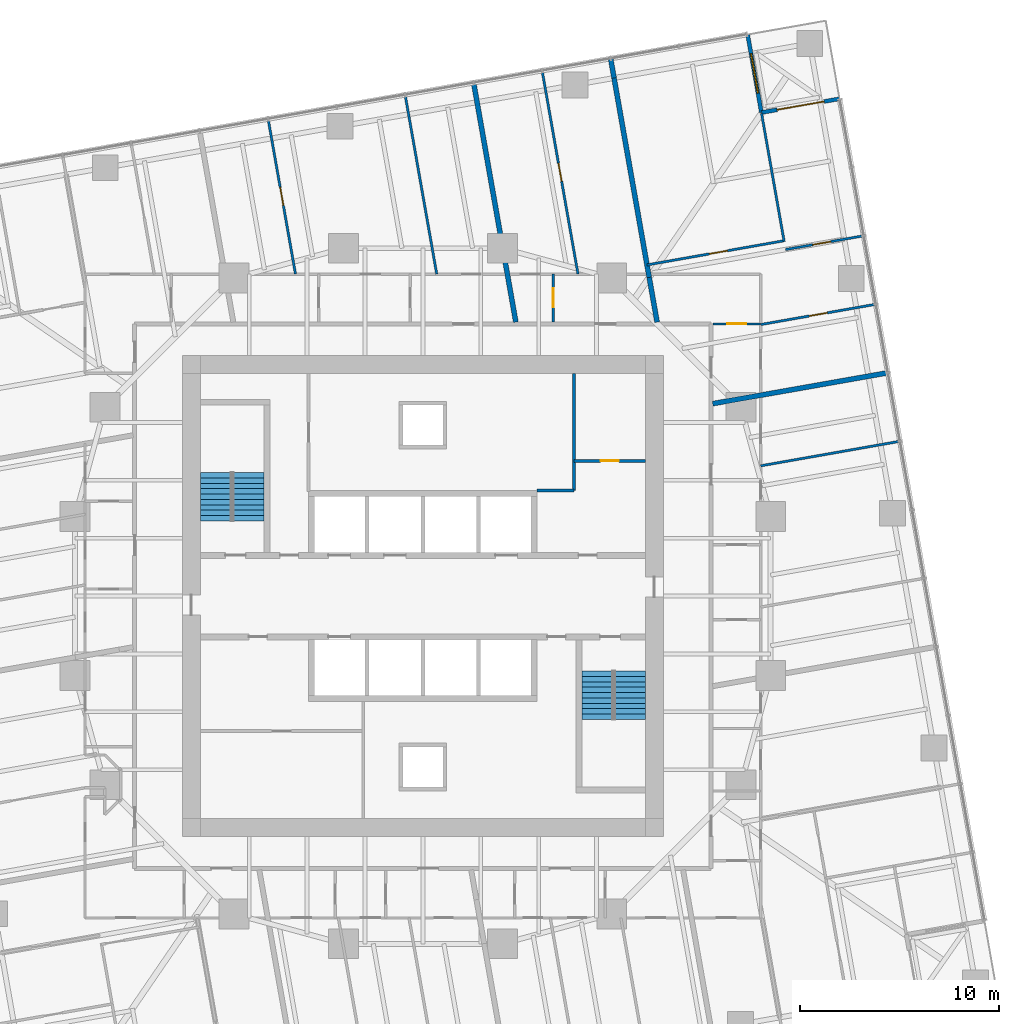
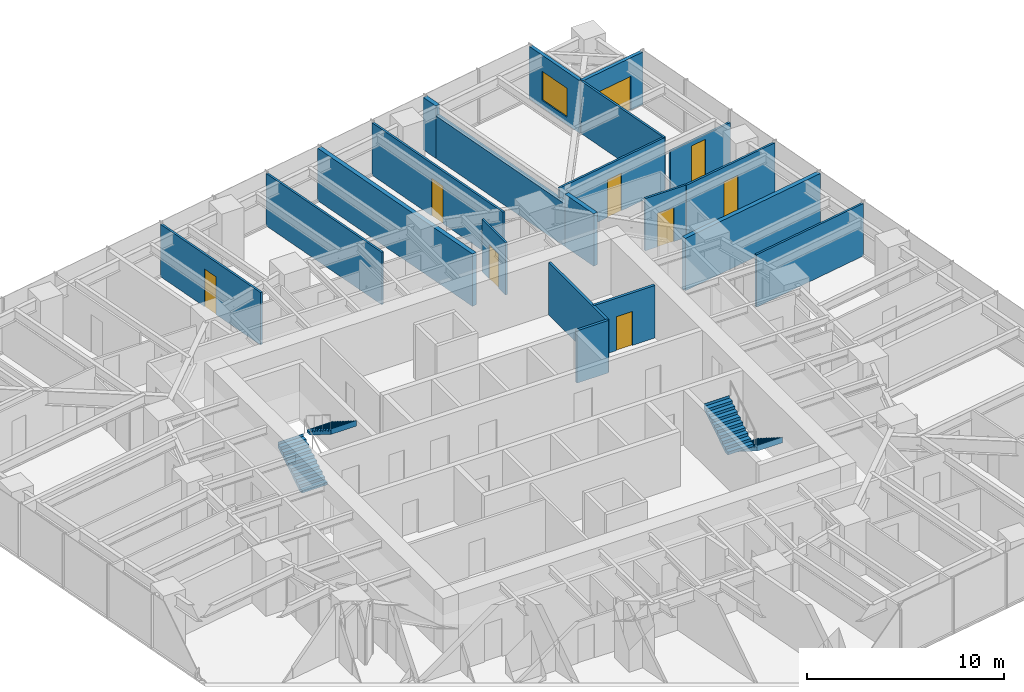
# One storey, part 13 of 14: 20 walls, 9 doors, 4 stair flights, 1 window, 10 openings, 2 elements without a shape of their own.
"""IFC4 building model written with IfcOpenShell, lengths in metres."""

from ifc_helpers import new_model, si_unit, direction, frame, frame_2d, origin, place, context, subcontext, project, spatial, polyline, rectangle, outline, extrude, material, layer, layer_set, type_object, element, fill, aggregate, save


model = new_model("IFC4")

# Units and contexts
model_context = context("Model", 3, precision=1e-05, world=origin(), true_north=direction((0.0, 1.0)))
body_context = subcontext(model_context, "Body", "Model", "MODEL_VIEW")
ifc_project = project(units=[si_unit("LENGTHUNIT", "METRE"), si_unit("AREAUNIT", "SQUARE_METRE"), si_unit("VOLUMEUNIT", "CUBIC_METRE"), si_unit("PLANEANGLEUNIT", "RADIAN"), si_unit("MASSUNIT", "GRAM", prefix="KILO")], contexts=[model_context])

# Site, building, storey
site_placement = place(None, origin())
site = spatial("IfcSite", under=ifc_project, at=site_placement, CompositionType="ELEMENT")
building_placement = place(site_placement, origin())
building = spatial("IfcBuilding", under=site, at=building_placement, Name="Torsade Residences", CompositionType="ELEMENT")
storey_placement = place(building_placement, frame((0.0, 0.0, 93.0)))
storey = spatial("IfcBuildingStorey", under=building, at=storey_placement, Name="L25", CompositionType="ELEMENT", Elevation=93.0)

# Wall
ifc_material_1 = material(Name="Plasterboard on steel stud", Category="steel")
ifc_layer_1 = layer(ifc_material_1, 0.1201171875)
ifc_layer_set_1 = layer_set([ifc_layer_1], Name="Plasterboard on steel stud")
wall_type_1 = type_object("IfcWallType", Name="PARTITION 120", PredefinedType="PARTITIONING", material=ifc_layer_set_1)
wall_1_placement = place(storey_placement, frame((57.0, 36.551513671875, 0.0), z_axis=(0.0, 0.0, 1.0), x_axis=(0.984809234282, 0.173639776761, 0.0)))
element("IfcWall", 1, at=wall_1_placement, inside=storey, type_object=wall_type_1, Name="Partition L25", PredefinedType="PARTITIONING", context=body_context, shape_type="SweptSolid", body=[
    extrude(rectangle(XDim=7.080810546875, YDim=0.1201171875, at=frame_2d((3.54052734375, 0.0))), origin(), (0.0, 0.0, 1.0), 3.25),
])

# Wall, opening, door
wall_2_placement = place(storey_placement, frame((54.60009765625, 43.68896484375, 0.0), z_axis=(0.0, 0.0, 1.0), x_axis=(1.0, 0.0, 0.0)))
wall_2 = element("IfcWall", 2, at=wall_2_placement, inside=storey, type_object=wall_type_1, Name="Partition L25", PredefinedType="PARTITIONING", context=body_context, shape_type="SweptSolid", body=[
    extrude(rectangle(XDim=2.39990234375, YDim=0.1201171875, at=frame_2d((1.199951171875, 0.0))), origin(), (0.0, 0.0, 1.0), 3.25),
])
opening_1_placement = place(wall_2_placement, frame((0.719970703125, 0.0, 0.0)))
opening_1 = element("IfcOpeningElement", 3, at=opening_1_placement, cuts=wall_2, Name="Opening D05", PredefinedType="OPENING", context=body_context, shape_type="SweptSolid", body=[
    extrude(rectangle(XDim=0.9599609375, YDim=2.10009765625, at=frame_2d((0.47998046875, 1.050048828125))), frame((0.0, 0.070068359375, 0.0), z_axis=(0.0, -1.0, 0.0), x_axis=(1.0, 0.0, 0.0)), (0.0, 0.0, 1.0), 0.14013671875),
])
ifc_material_2 = material(Name="Hollow-core timber door in a steel cavity frame", Category="steel")
door_type_1 = type_object("IfcDoorType", Name="BATHROOM CAVITY SLIDING DOOR 960", OperationType="SLIDING_TO_LEFT", PredefinedType="DOOR", material=ifc_material_2)
door_1_placement = place(opening_1_placement, origin())
door_1 = element("IfcDoor", 4, at=door_1_placement, inside=storey, type_object=door_type_1, Name="Door Kitchen and dining to Bathroom", OperationType="SLIDING_TO_LEFT", OverallHeight=2.10009765625, OverallWidth=0.9599609375, PredefinedType="DOOR", context=body_context, shape_type="SweptSolid", body=[
    extrude(rectangle(XDim=0.9599609375, YDim=2.10009765625, at=frame_2d((0.47998046875, 1.050048828125))), frame((0.0, 0.02490234375, 0.0), z_axis=(0.0, -1.0, 0.0), x_axis=(1.0, 0.0, 0.0)), (0.0, 0.0, 1.0), 0.050048828125),
])
fill(opening_1, door_1)

# Wall
wall_3_placement = place(storey_placement, frame((57.041259765625, 54.2880859375, 0.0), z_axis=(0.0, 0.0, 1.0), x_axis=(0.173657751636, -0.984806064815, 0.0)))
element("IfcWall", 5, at=wall_3_placement, inside=storey, type_object=wall_type_1, Name="Partition L25", PredefinedType="PARTITIONING", context=body_context, shape_type="SweptSolid", body=[
    extrude(rectangle(XDim=6.550048828125, YDim=0.1201171875, at=frame_2d((3.27490234375, 0.0))), origin(), (0.0, 0.0, 1.0), 3.25),
])

# Wall, opening, door
wall_4_placement = place(storey_placement, frame((58.171630859375, 47.877197265625, 0.0), z_axis=(0.0, 0.0, 1.0), x_axis=(-0.984806372973, -0.173656004074, 0.0)))
wall_4 = element("IfcWall", 6, at=wall_4_placement, inside=storey, type_object=wall_type_1, Name="Partition L25", PredefinedType="PARTITIONING", context=body_context, shape_type="SweptSolid", body=[
    extrude(rectangle(XDim=7.0, YDim=0.1201171875, at=frame_2d((3.5, 0.0))), origin(), (0.0, 0.0, 1.0), 3.25),
])
opening_2_placement = place(wall_4_placement, frame((2.889892578125, 0.0, 0.0)))
opening_2 = element("IfcOpeningElement", 7, at=opening_2_placement, cuts=wall_4, Name="Opening D02", PredefinedType="OPENING", context=body_context, shape_type="SweptSolid", body=[
    extrude(rectangle(XDim=0.919921875, YDim=2.340087890625, at=frame_2d((0.4599609375, 1.169921875))), frame((0.0, 0.070068359375, 0.0), z_axis=(0.0, -1.0, 0.0), x_axis=(1.0, 0.0, 0.0)), (0.0, 0.0, 1.0), 0.14013671875),
])
ifc_material_3 = material(Name="Hollow-core timber door", Category="wood")
door_type_2 = type_object("IfcDoorType", Name="INTERNAL DOOR 920x2340", OperationType="NOTDEFINED", PredefinedType="DOOR", material=ifc_material_3)
door_2_placement = place(opening_2_placement, origin())
door_2 = element("IfcDoor", 8, at=door_2_placement, inside=storey, type_object=door_type_2, Name="Door Bedroom 2 to Living room", OperationType="SINGLE_SWING_RIGHT", OverallHeight=2.340087890625, OverallWidth=0.919921875, PredefinedType="DOOR", context=body_context, shape_type="SweptSolid", body=[
    extrude(rectangle(XDim=0.919921875, YDim=2.340087890625, at=frame_2d((0.4599609375, 1.169921875))), frame((0.0, 0.02490234375, 0.0), z_axis=(0.0, -1.0, 0.0), x_axis=(1.0, 0.0, 0.0)), (0.0, 0.0, 1.0), 0.050048828125),
])
fill(opening_2, door_2)

wall_5_placement = place(storey_placement, frame((62.149658203125, 48.12158203125, 0.0), z_axis=(0.0, 0.0, 1.0), x_axis=(-0.984804033163, -0.173669272657, 0.0)))
wall_5 = element("IfcWall", 9, at=wall_5_placement, inside=storey, type_object=wall_type_1, Name="Partition L25", PredefinedType="PARTITIONING", context=body_context, shape_type="SweptSolid", body=[
    extrude(rectangle(XDim=3.9599609375, YDim=0.1201171875, at=frame_2d((1.97998046875, 0.0))), origin(), (0.0, 0.0, 1.0), 2.637939453125),
])
opening_3_placement = place(wall_5_placement, frame((1.64990234375, 0.0, 0.0)))
opening_3 = element("IfcOpeningElement", 10, at=opening_3_placement, cuts=wall_5, Name="Opening D02", PredefinedType="OPENING", context=body_context, shape_type="SweptSolid", body=[
    extrude(rectangle(XDim=0.919921875, YDim=2.340087890625, at=frame_2d((0.4599609375, 1.169921875))), frame((0.0, 0.070068359375, 0.0), z_axis=(0.0, -1.0, 0.0), x_axis=(1.0, 0.0, 0.0)), (0.0, 0.0, 1.0), 0.14013671875),
])
door_3_placement = place(opening_3_placement, origin())
door_3 = element("IfcDoor", 11, at=door_3_placement, inside=storey, type_object=door_type_2, Name="Door Bedroom 2 to Bedroom 1", OperationType="SINGLE_SWING_LEFT", OverallHeight=2.340087890625, OverallWidth=0.919921875, PredefinedType="DOOR", context=body_context, shape_type="SweptSolid", body=[
    extrude(rectangle(XDim=0.919921875, YDim=2.340087890625, at=frame_2d((0.4599609375, 1.169921875))), frame((0.0, 0.02490234375, 0.0), z_axis=(0.0, -1.0, 0.0), x_axis=(1.0, 0.0, 0.0)), (0.0, 0.0, 1.0), 0.050048828125),
])
fill(opening_3, door_3)

wall_6_placement = place(storey_placement, frame((62.757568359375, 44.6748046875, 0.0), z_axis=(0.0, 0.0, 1.0), x_axis=(-0.984810032319, -0.173635250578, 0.0)))
wall_6 = element("IfcWall", 12, at=wall_6_placement, inside=storey, type_object=wall_type_1, Name="Partition L25", PredefinedType="PARTITIONING", context=body_context, shape_type="SweptSolid", body=[
    extrude(rectangle(XDim=5.846435546875, YDim=0.1201171875, at=frame_2d((2.92333984375, 0.0))), origin(), (0.0, 0.0, 1.0), 3.25),
])
opening_4_placement = place(wall_6_placement, frame((2.443115234375, 0.0, 0.0)))
opening_4 = element("IfcOpeningElement", 13, at=opening_4_placement, cuts=wall_6, Name="Opening D02", PredefinedType="OPENING", context=body_context, shape_type="SweptSolid", body=[
    extrude(rectangle(XDim=0.919921875, YDim=2.340087890625, at=frame_2d((0.4599609375, 1.169921875))), frame((0.0, 0.070068359375, 0.0), z_axis=(0.0, -1.0, 0.0), x_axis=(1.0, 0.0, 0.0)), (0.0, 0.0, 1.0), 0.14013671875),
])
door_4_placement = place(opening_4_placement, origin())
door_4 = element("IfcDoor", 14, at=door_4_placement, inside=storey, type_object=door_type_2, Name="Door Study to Bedroom 2", OperationType="SINGLE_SWING_RIGHT", OverallHeight=2.340087890625, OverallWidth=0.919921875, PredefinedType="DOOR", context=body_context, shape_type="SweptSolid", body=[
    extrude(rectangle(XDim=0.919921875, YDim=2.340087890625, at=frame_2d((0.4599609375, 1.169921875))), frame((0.0, 0.02490234375, 0.0), z_axis=(0.0, -1.0, 0.0), x_axis=(1.0, 0.0, 0.0)), (0.0, 0.0, 1.0), 0.050048828125),
])
fill(opening_4, door_4)

wall_7_placement = place(storey_placement, frame((46.5673828125, 43.800048828125, 0.0), z_axis=(0.0, 0.0, 1.0), x_axis=(0.0, 1.0, 0.0)))
wall_7 = element("IfcWall", 15, at=wall_7_placement, inside=storey, type_object=wall_type_1, Name="Partition L25", PredefinedType="PARTITIONING", context=body_context, shape_type="SweptSolid", body=[
    extrude(rectangle(XDim=2.39990234375, YDim=0.1201171875, at=frame_2d((1.199951171875, 0.0))), origin(), (0.0, 0.0, 1.0), 3.25),
])
opening_5_placement = place(wall_7_placement, frame((0.719970703125, 0.0, 0.0)))
opening_5 = element("IfcOpeningElement", 16, at=opening_5_placement, cuts=wall_7, Name="Opening D05", PredefinedType="OPENING", context=body_context, shape_type="SweptSolid", body=[
    extrude(rectangle(XDim=0.9599609375, YDim=2.10009765625, at=frame_2d((0.47998046875, 1.050048828125))), frame((0.0, 0.070068359375, 0.0), z_axis=(0.0, -1.0, 0.0), x_axis=(1.0, 0.0, 0.0)), (0.0, 0.0, 1.0), 0.14013671875),
])
door_5_placement = place(opening_5_placement, origin())
door_5 = element("IfcDoor", 17, at=door_5_placement, inside=storey, type_object=door_type_1, Name="Door Kitchen and dining to Bathroom", OperationType="SLIDING_TO_LEFT", OverallHeight=2.10009765625, OverallWidth=0.9599609375, PredefinedType="DOOR", context=body_context, shape_type="SweptSolid", body=[
    extrude(rectangle(XDim=0.9599609375, YDim=2.10009765625, at=frame_2d((0.47998046875, 1.050048828125))), frame((0.0, 0.02490234375, 0.0), z_axis=(0.0, -1.0, 0.0), x_axis=(1.0, 0.0, 0.0)), (0.0, 0.0, 1.0), 0.050048828125),
])
fill(opening_5, door_5)

wall_8_placement = place(storey_placement, frame((47.805419921875, 46.199951171875, 0.0), z_axis=(0.0, 0.0, 1.0), x_axis=(-0.173653605279, 0.984806795962, 0.0)))
wall_8 = element("IfcWall", 18, at=wall_8_placement, inside=storey, type_object=wall_type_1, Name="Partition L25", PredefinedType="PARTITIONING", context=body_context, shape_type="SweptSolid", body=[
    extrude(rectangle(XDim=10.361572265625, YDim=0.1201171875, at=frame_2d((5.1806640625, 0.0))), origin(), (0.0, 0.0, 1.0), 3.25),
])
opening_6_placement = place(wall_8_placement, frame((4.74072265625, 0.0, 0.0)))
opening_6 = element("IfcOpeningElement", 19, at=opening_6_placement, cuts=wall_8, Name="Opening D02", PredefinedType="OPENING", context=body_context, shape_type="SweptSolid", body=[
    extrude(rectangle(XDim=0.919921875, YDim=2.340087890625, at=frame_2d((0.4599609375, 1.169921875))), frame((0.0, 0.070068359375, 0.0), z_axis=(0.0, -1.0, 0.0), x_axis=(1.0, 0.0, 0.0)), (0.0, 0.0, 1.0), 0.14013671875),
])
door_6_placement = place(opening_6_placement, origin())
door_6 = element("IfcDoor", 20, at=door_6_placement, inside=storey, type_object=door_type_2, Name="Door Bedroom 1 to Living room", OperationType="SINGLE_SWING_LEFT", OverallHeight=2.340087890625, OverallWidth=0.919921875, PredefinedType="DOOR", context=body_context, shape_type="SweptSolid", body=[
    extrude(rectangle(XDim=0.919921875, YDim=2.340087890625, at=frame_2d((0.4599609375, 1.169921875))), frame((0.0, 0.02490234375, 0.0), z_axis=(0.0, -1.0, 0.0), x_axis=(1.0, 0.0, 0.0)), (0.0, 0.0, 1.0), 0.050048828125),
])
fill(opening_6, door_6)

# Wall
wall_9_placement = place(storey_placement, frame((39.112548828125, 55.1884765625, 0.0), z_axis=(0.0, 0.0, 1.0), x_axis=(0.173652576186, -0.984806977424, 0.0)))
element("IfcWall", 21, at=wall_9_placement, inside=storey, type_object=wall_type_1, Name="Partition L25", PredefinedType="PARTITIONING", context=body_context, shape_type="SweptSolid", body=[
    extrude(rectangle(XDim=9.127197265625, YDim=0.1201171875, at=frame_2d((4.5634765625, 0.0))), origin(), (0.0, 0.0, 1.0), 3.25),
])

# Wall, opening, door
wall_10_placement = place(storey_placement, frame((33.589599609375, 46.199951171875, 0.0), z_axis=(0.0, 0.0, 1.0), x_axis=(-0.173645935638, 0.98480814834, 0.0)))
wall_10 = element("IfcWall", 22, at=wall_10_placement, inside=storey, type_object=wall_type_1, Name="Partition L25", PredefinedType="PARTITIONING", context=body_context, shape_type="SweptSolid", body=[
    extrude(rectangle(XDim=7.89306640625, YDim=0.1201171875, at=frame_2d((3.946533203125, 0.0))), origin(), (0.0, 0.0, 1.0), 3.25),
])
opening_7_placement = place(wall_10_placement, frame((3.506591796875, 0.0, 0.0)))
opening_7 = element("IfcOpeningElement", 23, at=opening_7_placement, cuts=wall_10, Name="Opening D02", PredefinedType="OPENING", context=body_context, shape_type="SweptSolid", body=[
    extrude(rectangle(XDim=0.919921875, YDim=2.340087890625, at=frame_2d((0.4599609375, 1.169921875))), frame((0.0, 0.070068359375, 0.0), z_axis=(0.0, -1.0, 0.0), x_axis=(1.0, 0.0, 0.0)), (0.0, 0.0, 1.0), 0.14013671875),
])
door_7_placement = place(opening_7_placement, origin())
door_7 = element("IfcDoor", 24, at=door_7_placement, inside=storey, type_object=door_type_2, Name="Door Living room to Bedroom 2", OperationType="SINGLE_SWING_RIGHT", OverallHeight=2.340087890625, OverallWidth=0.919921875, PredefinedType="DOOR", context=body_context, shape_type="SweptSolid", body=[
    extrude(rectangle(XDim=0.919921875, YDim=2.340087890625, at=frame_2d((0.4599609375, 1.169921875))), frame((0.0, 0.02490234375, 0.0), z_axis=(0.0, -1.0, 0.0), x_axis=(1.0, 0.0, 0.0)), (0.0, 0.0, 1.0), 0.050048828125),
])
fill(opening_7, door_7)

# Walls
ifc_material_4 = material(Name="Masonry-lined stud party wall", Category="masonry")
ifc_layer_2 = layer(ifc_material_4, 0.25)
ifc_layer_set_2 = layer_set([ifc_layer_2], Name="Masonry-lined stud party wall")
wall_type_2 = type_object("IfcWallType", Name="PARTY WALL 250", PredefinedType="PARTITIONING", material=ifc_layer_set_2)
wall_11_placement = place(storey_placement, frame((63.404541015625, 41.23486328125, 0.0), z_axis=(0.0, 0.0, 1.0), x_axis=(-0.984806596137, -0.173654738504, 0.0)))
element("IfcWall", 25, at=wall_11_placement, inside=storey, type_object=wall_type_2, Name="Party wall L25", PredefinedType="PARTITIONING", context=body_context, shape_type="SweptSolid", body=[
    extrude(rectangle(XDim=8.958251953125, YDim=0.25, at=frame_2d((4.47900390625, 0.0))), origin(), (0.0, 0.0, 1.0), 3.25),
])
wall_12_placement = place(storey_placement, frame((42.552490234375, 55.835693359375, 0.0), z_axis=(0.0, 0.0, 1.0), x_axis=(0.173639677872, -0.984809251718, 0.0)))
element("IfcWall", 26, at=wall_12_placement, inside=storey, type_object=wall_type_2, Name="Party wall L25", PredefinedType="PARTITIONING", context=body_context, shape_type="SweptSolid", body=[
    extrude(rectangle(XDim=12.239501953125, YDim=0.25, at=frame_2d((6.11962890625, 0.0))), origin(), (0.0, 0.0, 1.0), 3.25),
])
wall_13_placement = place(storey_placement, frame((49.446044921875, 57.05126953125, 0.0), z_axis=(0.0, 0.0, 1.0), x_axis=(0.173813186416, -0.984778643263, 0.0)))
element("IfcWall", 27, at=wall_13_placement, inside=storey, type_object=wall_type_2, Name="Party wall L25", PredefinedType="PARTITIONING", context=body_context, shape_type="SweptSolid", body=[
    extrude(rectangle(XDim=1.0, YDim=0.25, at=frame_2d((0.5, 0.0))), origin(), (0.0, 0.0, 1.0), 3.25),
])
wall_14_placement = place(storey_placement, frame((49.619873046875, 56.06640625, 0.0), z_axis=(0.0, 0.0, 1.0), x_axis=(0.173644522411, -0.984808397525, 0.0)))
element("IfcWall", 28, at=wall_14_placement, inside=storey, type_object=wall_type_2, Name="Party wall L25", PredefinedType="PARTITIONING", context=body_context, shape_type="SweptSolid", body=[
    extrude(rectangle(XDim=10.187744140625, YDim=0.25, at=frame_2d((5.09375, 0.0))), origin(), (0.0, 0.0, 1.0), 2.637939453125),
])
wall_15_placement = place(storey_placement, frame((51.388916015625, 46.033447265625, 0.0), z_axis=(0.0, 0.0, 1.0), x_axis=(0.173657387043, -0.984806129106, 0.0)))
element("IfcWall", 29, at=wall_15_placement, inside=storey, type_object=wall_type_2, Name="Party wall L25", PredefinedType="PARTITIONING", context=body_context, shape_type="SweptSolid", body=[
    extrude(rectangle(XDim=2.285888671875, YDim=0.25, at=frame_2d((1.14306640625, 0.0))), origin(), (0.0, 0.0, 1.0), 3.25),
])
ifc_material_5 = material(Name="Reinforced blockwork", Category="masonry")
ifc_layer_3 = layer(ifc_material_5, 0.14990234375)
ifc_layer_set_3 = layer_set([ifc_layer_3], Name="Reinforced blockwork")
wall_type_3 = type_object("IfcWallType", Name="SERVICE ROOM WALL 150", PredefinedType="SOLIDWALL", material=ifc_layer_set_3)
wall_16_placement = place(storey_placement, frame((47.60009765625, 41.199951171875, 0.0), z_axis=(0.0, 0.0, 1.0), x_axis=(0.0, -1.0, 0.0)))
element("IfcWall", 30, at=wall_16_placement, inside=storey, type_object=wall_type_3, Name="Service room wall L25", PredefinedType="SOLIDWALL", context=body_context, shape_type="SweptSolid", body=[
    extrude(rectangle(XDim=5.89990234375, YDim=0.14990234375, at=frame_2d((2.949951171875, 0.0))), origin(), (0.0, 0.0, 1.0), 3.25),
])
wall_17_placement = place(storey_placement, frame((47.60009765625, 35.300048828125, 0.0), z_axis=(0.0, 0.0, 1.0), x_axis=(-1.0, 0.0, 0.0)))
element("IfcWall", 31, at=wall_17_placement, inside=storey, type_object=wall_type_3, Name="Service room wall L25", PredefinedType="SOLIDWALL", context=body_context, shape_type="SweptSolid", body=[
    extrude(rectangle(XDim=1.85009765625, YDim=0.14990234375, at=frame_2d((0.925048828125, 0.0))), origin(), (0.0, 0.0, 1.0), 3.25),
])

# Wall, opening, door
wall_18_placement = place(storey_placement, frame((47.60009765625, 36.800048828125, 0.0), z_axis=(0.0, 0.0, 1.0), x_axis=(1.0, 0.0, 0.0)))
wall_18 = element("IfcWall", 32, at=wall_18_placement, inside=storey, type_object=wall_type_3, Name="Service room wall L25", PredefinedType="SOLIDWALL", context=body_context, shape_type="SweptSolid", body=[
    extrude(rectangle(XDim=3.599853515625, YDim=0.14990234375, at=frame_2d((1.7998046875, 0.0))), origin(), (0.0, 0.0, 1.0), 3.25),
])
opening_8_placement = place(wall_18_placement, frame((1.340087890625, 0.0, 0.0)))
opening_8 = element("IfcOpeningElement", 33, at=opening_8_placement, cuts=wall_18, Name="Opening D06", PredefinedType="OPENING", context=body_context, shape_type="SweptSolid", body=[
    extrude(rectangle(XDim=0.919921875, YDim=2.10009765625, at=frame_2d((0.4599609375, 1.050048828125))), frame((0.0, 0.0849609375, 0.0), z_axis=(0.0, -1.0, 0.0), x_axis=(1.0, 0.0, 0.0)), (0.0, 0.0, 1.0), 0.169921875),
])
ifc_material_6 = material(Name="Steel-framed fire door", Category="steel")
door_type_3 = type_object("IfcDoorType", Name="FIRE DOOR 920", OperationType="NOTDEFINED", PredefinedType="DOOR", material=ifc_material_6)
door_8_placement = place(opening_8_placement, origin())
door_8 = element("IfcDoor", 34, at=door_8_placement, inside=storey, type_object=door_type_3, Name="Door Refuse room to Recycling room", OperationType="SINGLE_SWING_LEFT", OverallHeight=2.10009765625, OverallWidth=0.919921875, PredefinedType="DOOR", context=body_context, shape_type="SweptSolid", body=[
    extrude(rectangle(XDim=0.919921875, YDim=2.10009765625, at=frame_2d((0.4599609375, 1.050048828125))), frame((0.0, 0.02490234375, 0.0), z_axis=(0.0, -1.0, 0.0), x_axis=(1.0, 0.0, 0.0)), (0.0, 0.0, 1.0), 0.050048828125),
])
fill(opening_8, door_8)

ifc_material_7 = material(Name="Stone-faced precast concrete 40 MPa panel", Category="masonry")
ifc_layer_4 = layer(ifc_material_7, 0.199951171875)
ifc_layer_set_4 = layer_set([ifc_layer_4], Name="Stone-faced precast concrete 40 MPa panel")
wall_type_4 = type_object("IfcWallType", Name="TERRACE WALL 200", PredefinedType="SOLIDWALL", material=ifc_layer_set_4)
wall_19_placement = place(storey_placement, frame((60.9736328125, 55.022216796875, 0.0), z_axis=(0.0, 0.0, 1.0), x_axis=(-0.984808127031, -0.173646056486, 0.0)))
wall_19 = element("IfcWall", 35, at=wall_19_placement, inside=storey, type_object=wall_type_4, Name="Terrace wall L25 5", PredefinedType="SOLIDWALL", context=body_context, shape_type="SweptSolid", body=[
    extrude(rectangle(XDim=4.0, YDim=0.199951171875, at=frame_2d((2.0, 0.0))), origin(), (0.0, 0.0, 1.0), 3.25),
])
opening_9_placement = place(wall_19_placement, frame((0.800048828125, 0.0, 0.0)))
opening_9 = element("IfcOpeningElement", 36, at=opening_9_placement, cuts=wall_19, Name="Opening D10A", PredefinedType="OPENING", context=body_context, shape_type="SweptSolid", body=[
    extrude(rectangle(XDim=2.39990234375, YDim=2.10009765625, at=frame_2d((1.199951171875, 1.050048828125))), frame((0.0, 0.10986328125, 0.0), z_axis=(0.0, -1.0, 0.0), x_axis=(1.0, 0.0, 0.0)), (0.0, 0.0, 1.0), 0.219970703125),
])
ifc_material_8 = material(Name="Aluminium-framed glass door", Category="aluminium")
door_type_4 = type_object("IfcDoorType", Name="TERRACE SLIDING DOOR 2400x2100", OperationType="SLIDING_TO_LEFT", PredefinedType="DOOR", material=ifc_material_8)
door_9_placement = place(opening_9_placement, origin())
door_9 = element("IfcDoor", 37, at=door_9_placement, inside=storey, type_object=door_type_4, Name="Terrace door L25 5", OperationType="SLIDING_TO_LEFT", OverallHeight=2.10009765625, OverallWidth=2.39990234375, PredefinedType="DOOR", context=body_context, shape_type="SweptSolid", body=[
    extrude(rectangle(XDim=2.39990234375, YDim=2.10009765625, at=frame_2d((1.199951171875, 1.050048828125))), frame((0.0, 0.02490234375, 0.0), z_axis=(0.0, -1.0, 0.0), x_axis=(1.0, 0.0, 0.0)), (0.0, 0.0, 1.0), 0.050048828125),
])
fill(opening_9, door_9)

# Wall, opening, window
wall_20_placement = place(storey_placement, frame((57.034423828125, 54.32763671875, 0.0), z_axis=(0.0, 0.0, 1.0), x_axis=(-0.173646056486, 0.984808127031, 0.0)))
wall_20 = element("IfcWall", 38, at=wall_20_placement, inside=storey, type_object=wall_type_4, Name="Terrace wall L25 6", PredefinedType="SOLIDWALL", context=body_context, shape_type="SweptSolid", body=[
    extrude(rectangle(XDim=4.0, YDim=0.199951171875, at=frame_2d((2.0, 0.0))), origin(), (0.0, 0.0, 1.0), 3.25),
])
opening_10_placement = place(wall_20_placement, frame((1.0, 0.0, 0.449951171875)))
opening_10 = element("IfcOpeningElement", 39, at=opening_10_placement, cuts=wall_20, Name="Opening W1B", PredefinedType="OPENING", context=body_context, shape_type="SweptSolid", body=[
    extrude(rectangle(XDim=2.0, YDim=1.800048828125, at=frame_2d((1.0, 0.89990234375))), frame((0.0, 0.10986328125, 0.0), z_axis=(0.0, -1.0, 0.0), x_axis=(1.0, 0.0, 0.0)), (0.0, 0.0, 1.0), 0.219970703125),
])
ifc_material_9 = material(Name="Aluminium-framed glass window", Category="aluminium")
window_type = type_object("IfcWindowType", Name="TERRACE WINDOW 2000x1800", PartitioningType="SINGLE_PANEL", PredefinedType="WINDOW", material=ifc_material_9)
window_placement = place(opening_10_placement, origin())
window = element("IfcWindow", 40, at=window_placement, inside=storey, type_object=window_type, Name="Terrace window L25 6", OverallHeight=1.800048828125, OverallWidth=2.0, PartitioningType="SINGLE_PANEL", PredefinedType="WINDOW", context=body_context, shape_type="SweptSolid", body=[
    extrude(rectangle(XDim=2.0, YDim=1.800048828125, at=frame_2d((1.0, 0.89990234375))), frame((0.0, 0.030029296875, 0.0), z_axis=(0.0, -1.0, 0.0), x_axis=(1.0, 0.0, 0.0)), (0.0, 0.0, 1.0), 0.06005859375),
])
fill(opening_10, window)

# Stair, stair flights
ifc_material_10 = material(Name="Precast concrete 40 MPa", Category="concrete")
stair_type = type_object("IfcStairType", Name="HALF-TURN FIRE STAIR 1500x3400", PredefinedType="HALF_TURN_STAIR", material=ifc_material_10)
stair_1_placement = place(storey_placement, origin())
stair_1 = element("IfcStair", 41, at=stair_1_placement, inside=storey, type_object=stair_type, Name="Stair ST1 L25", PredefinedType="HALF_TURN_STAIR")
ifc_material_11 = material(Name="Precast concrete 40 MPa", Category="concrete")
stair_flight_type = type_object("IfcStairFlightType", Name="PRECAST STAIR FLIGHT 1500x1700", PredefinedType="STRAIGHT", material=ifc_material_11)
stair_flight_1_placement = place(storey_placement, frame((29.550048828125, 33.780029296875, 0.0), z_axis=(0.0, 0.0, 1.0), x_axis=(0.0, 1.0, 0.0)))
stair_flight_1 = element("IfcStairFlight", 42, at=stair_flight_1_placement, type_object=stair_flight_type, Name="ST1 flight 1", NumberOfRisers=10, NumberOfTreads=9, PredefinedType="STRAIGHT", RiserHeight=0.17, TreadLength=0.27, context=body_context, shape_type="SweptSolid", body=[
    extrude(outline(polyline([(0.0, 0.0), (0.0, 0.169921875), (0.27001953125, 0.169921875), (0.27001953125, 0.340087890625), (0.5400390625, 0.340087890625), (0.5400390625, 0.510009765625), (0.81005859375, 0.510009765625), (0.81005859375, 0.679931640625), (1.080078125, 0.679931640625), (1.080078125, 0.85009765625), (1.35009765625, 0.85009765625), (1.35009765625, 1.02001953125), (1.6201171875, 1.02001953125), (1.6201171875, 1.18994140625), (1.889892578125, 1.18994140625), (1.889892578125, 1.360107421875), (2.159912109375, 1.360107421875), (2.159912109375, 1.530029296875), (2.429931640625, 1.530029296875), (2.429931640625, 1.699951171875), (2.43994140625, 1.699951171875), (2.43994140625, 1.352783203125), (2.429931640625, 1.352783203125), (0.28125, 0.0), (0.0, 0.0)])), frame((0.0, 0.75, 0.0), z_axis=(0.0, -1.0, 0.0), x_axis=(1.0, 0.0, 0.0)), (0.0, 0.0, 1.0), 1.5),
])
stair_flight_2_placement = place(storey_placement, frame((31.25, 36.2099609375, 1.699951171875), z_axis=(0.0, 0.0, 1.0), x_axis=(0.0, -1.0, 0.0)))
stair_flight_2 = element("IfcStairFlight", 43, at=stair_flight_2_placement, type_object=stair_flight_type, Name="ST1 flight 2", NumberOfRisers=10, NumberOfTreads=9, PredefinedType="STRAIGHT", RiserHeight=0.17, TreadLength=0.27, context=body_context, shape_type="SweptSolid", body=[
    extrude(outline(polyline([(0.0, 0.0), (0.0, 0.169921875), (0.27001953125, 0.169921875), (0.27001953125, 0.340087890625), (0.5400390625, 0.340087890625), (0.5400390625, 0.510009765625), (0.81005859375, 0.510009765625), (0.81005859375, 0.679931640625), (1.080078125, 0.679931640625), (1.080078125, 0.85009765625), (1.35009765625, 0.85009765625), (1.35009765625, 1.02001953125), (1.6201171875, 1.02001953125), (1.6201171875, 1.18994140625), (1.889892578125, 1.18994140625), (1.889892578125, 1.360107421875), (2.159912109375, 1.360107421875), (2.159912109375, 1.530029296875), (2.429931640625, 1.530029296875), (2.429931640625, 1.699951171875), (2.43994140625, 1.699951171875), (2.43994140625, 1.352783203125), (2.429931640625, 1.352783203125), (0.28125, 0.0), (0.0, 0.0)])), frame((0.0, 0.75, 0.0), z_axis=(0.0, -1.0, 0.0), x_axis=(1.0, 0.0, 0.0)), (0.0, 0.0, 1.0), 1.5),
])
aggregate(stair_1, [stair_flight_1, stair_flight_2])

stair_2_placement = place(storey_placement, origin())
stair_2 = element("IfcStair", 44, at=stair_2_placement, inside=storey, type_object=stair_type, Name="Stair ST2 L25", PredefinedType="HALF_TURN_STAIR")
stair_flight_3_placement = place(storey_placement, frame((50.449951171875, 26.219970703125, 0.0), z_axis=(0.0, 0.0, 1.0), x_axis=(0.0, -1.0, 0.0)))
stair_flight_3 = element("IfcStairFlight", 45, at=stair_flight_3_placement, type_object=stair_flight_type, Name="ST2 flight 1", NumberOfRisers=10, NumberOfTreads=9, PredefinedType="STRAIGHT", RiserHeight=0.17, TreadLength=0.27, context=body_context, shape_type="SweptSolid", body=[
    extrude(outline(polyline([(0.0, 0.0), (0.0, 0.169921875), (0.27001953125, 0.169921875), (0.27001953125, 0.340087890625), (0.5400390625, 0.340087890625), (0.5400390625, 0.510009765625), (0.81005859375, 0.510009765625), (0.81005859375, 0.679931640625), (1.080078125, 0.679931640625), (1.080078125, 0.85009765625), (1.35009765625, 0.85009765625), (1.35009765625, 1.02001953125), (1.6201171875, 1.02001953125), (1.6201171875, 1.18994140625), (1.889892578125, 1.18994140625), (1.889892578125, 1.360107421875), (2.159912109375, 1.360107421875), (2.159912109375, 1.530029296875), (2.429931640625, 1.530029296875), (2.429931640625, 1.699951171875), (2.43994140625, 1.699951171875), (2.43994140625, 1.352783203125), (2.429931640625, 1.352783203125), (0.28125, 0.0), (0.0, 0.0)])), frame((0.0, 0.75, 0.0), z_axis=(0.0, -1.0, 0.0), x_axis=(1.0, 0.0, 0.0)), (0.0, 0.0, 1.0), 1.5),
])
stair_flight_4_placement = place(storey_placement, frame((48.75, 23.7900390625, 1.699951171875), z_axis=(0.0, 0.0, 1.0), x_axis=(0.0, 1.0, 0.0)))
stair_flight_4 = element("IfcStairFlight", 46, at=stair_flight_4_placement, type_object=stair_flight_type, Name="ST2 flight 2", NumberOfRisers=10, NumberOfTreads=9, PredefinedType="STRAIGHT", RiserHeight=0.17, TreadLength=0.27, context=body_context, shape_type="SweptSolid", body=[
    extrude(outline(polyline([(0.0, 0.0), (0.0, 0.169921875), (0.27001953125, 0.169921875), (0.27001953125, 0.340087890625), (0.5400390625, 0.340087890625), (0.5400390625, 0.510009765625), (0.81005859375, 0.510009765625), (0.81005859375, 0.679931640625), (1.080078125, 0.679931640625), (1.080078125, 0.85009765625), (1.35009765625, 0.85009765625), (1.35009765625, 1.02001953125), (1.6201171875, 1.02001953125), (1.6201171875, 1.18994140625), (1.889892578125, 1.18994140625), (1.889892578125, 1.360107421875), (2.159912109375, 1.360107421875), (2.159912109375, 1.530029296875), (2.429931640625, 1.530029296875), (2.429931640625, 1.699951171875), (2.43994140625, 1.699951171875), (2.43994140625, 1.352783203125), (2.429931640625, 1.352783203125), (0.28125, 0.0), (0.0, 0.0)])), frame((0.0, 0.75, 0.0), z_axis=(0.0, -1.0, 0.0), x_axis=(1.0, 0.0, 0.0)), (0.0, 0.0, 1.0), 1.5),
])
aggregate(stair_2, [stair_flight_3, stair_flight_4])

save(model, "model.ifc")
